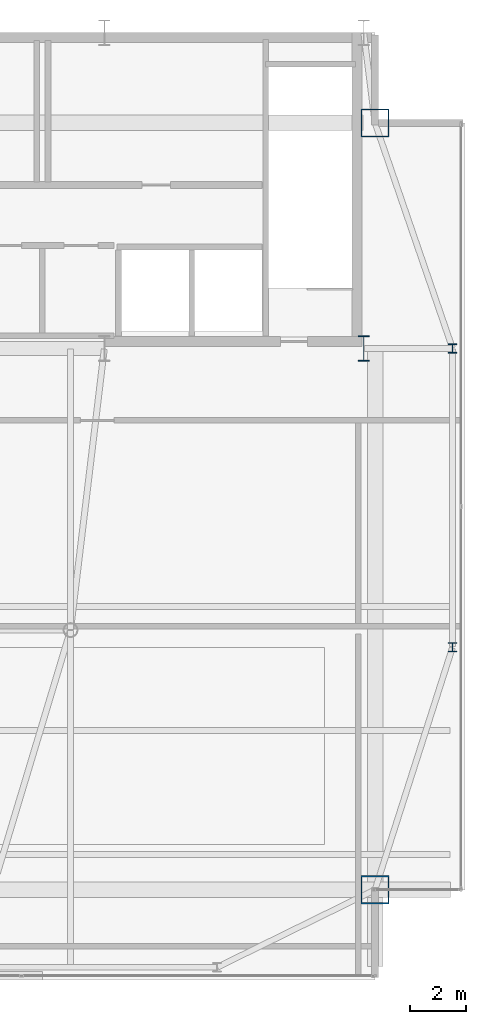
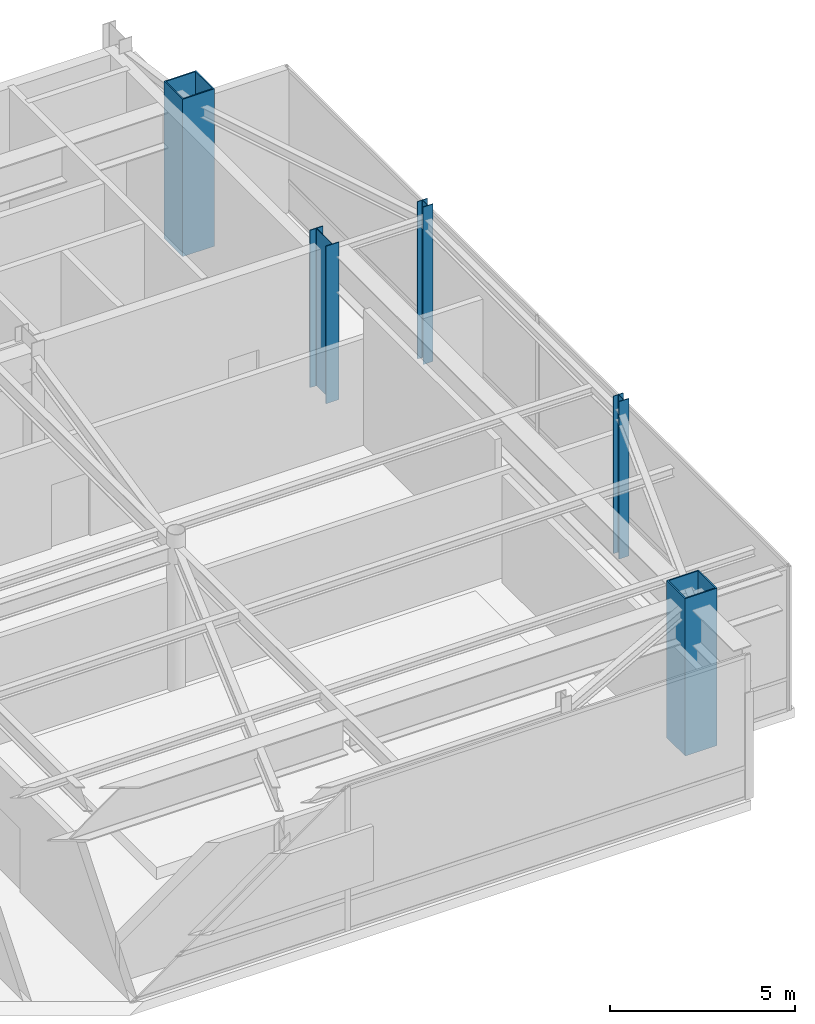
# One storey, part 2 of 20: 5 columns.
"""IFC4 building model written with IfcOpenShell, lengths in metres."""

from ifc_helpers import new_model, si_unit, direction, frame, origin, origin_2d, place, context, subcontext, project, spatial, hollow_rectangle, i_section, extrude, source, transform, mapped, material, material_profile, profile_set, type_object, type_shapes, element, save


model = new_model("IFC4")

# Units and contexts
model_context = context("Model", 3, precision=1e-05, world=origin(), true_north=direction((0.0, 1.0)))
body_context = subcontext(model_context, "Body", "Model", "MODEL_VIEW")
ifc_project = project(units=[si_unit("LENGTHUNIT", "METRE"), si_unit("AREAUNIT", "SQUARE_METRE"), si_unit("VOLUMEUNIT", "CUBIC_METRE"), si_unit("PLANEANGLEUNIT", "RADIAN"), si_unit("MASSUNIT", "GRAM", prefix="KILO")], contexts=[model_context])

# Site, building, storey
site_placement = place(None, origin())
site = spatial("IfcSite", under=ifc_project, at=site_placement, CompositionType="ELEMENT")
building_placement = place(site_placement, origin())
building = spatial("IfcBuilding", under=site, at=building_placement, Name="Varnel Quay Broadcast Tower", CompositionType="ELEMENT")
storey_placement = place(building_placement, frame((0.0, 0.0, 314.60009765625)))
storey = spatial("IfcBuildingStorey", under=building, at=storey_placement, Name="L78", CompositionType="ELEMENT", Elevation=314.60009765625)

# Columns
ifc_material_1 = material(Name="Structural Steel CSA G40.21 350WT", Category="steel")
ifc_material_profile_1 = material_profile(ifc_material_1, i_section(OverallWidth=0.39990234375, OverallDepth=0.89990234375, WebThickness=0.01611328125, FlangeThickness=0.028076171875, FilletRadius=0.01611328125, at=origin_2d()), Name="WWF900X309")
ifc_profile_set_1 = profile_set([ifc_material_profile_1], Name="Structural Steel CSA G40.21 350WT")
column_type_1 = type_object("IfcColumnType", Name="Col_WWF900X309", PredefinedType="COLUMN", material=ifc_profile_set_1)
shared_shape_1 = source(origin(), body_context, "Body", "SweptSolid", [
    extrude(i_section(OverallWidth=0.39990234375, OverallDepth=0.89990234375, WebThickness=0.01611328125, FlangeThickness=0.028076171875, FilletRadius=0.01611328125, at=origin_2d()), origin(), (0.0, 0.0, 1.0), 5.199951171875),
])
type_shapes(column_type_1, [shared_shape_1])
column_placement = place(storey_placement, frame((52.39990234375, 35.60009765625, 0.0), z_axis=(0.0, 0.0, 1.0), x_axis=(1.0, 0.0, 0.0)))
element("IfcColumn", 1, at=column_placement, inside=storey, type_object=column_type_1, Name="L78 Column CC-S5", PredefinedType="COLUMN", context=body_context, shape_type="MappedRepresentation", body=[
    mapped(shared_shape_1, transform((0.0, 0.0, 0.0), x_axis=(1.0, 0.0, 0.0), y_axis=(0.0, 1.0, 0.0), z_axis=(0.0, 0.0, 1.0), scale=1.0)),
])
ifc_material_profile_2 = material_profile(ifc_material_1, hollow_rectangle(XDim=1.0, YDim=1.0, WallThickness=0.0400390625, at=origin_2d()), Name="BOX1000X1000X40")
ifc_profile_set_2 = profile_set([ifc_material_profile_2], Name="Structural Steel CSA G40.21 350WT")
column_type_2 = type_object("IfcColumnType", Name="Col_BOX1000X1000X40", PredefinedType="COLUMN", material=ifc_profile_set_2)
shared_shape_2 = source(origin(), body_context, "Body", "SweptSolid", [
    extrude(hollow_rectangle(XDim=1.0, YDim=1.0, WallThickness=0.0400390625, at=origin_2d()), origin(), (0.0, 0.0, 1.0), 5.199951171875),
])
type_shapes(column_type_2, [shared_shape_2])
for number, where, z_axis, x_axis, name in (
    (2, (52.800048828125, 16.39990234375, 0.0), (0.0, 0.0, 1.0), (1.0, 0.0, 0.0), "L78 Column MC-SE"),
    (3, (52.800048828125, 43.60009765625, 0.0), (0.0, 0.0, 1.0), (1.0, 0.0, 0.0), "L78 Column MC-NE"),
):
    element("IfcColumn", number, at=place(storey_placement, frame(where, z_axis=z_axis, x_axis=x_axis)), inside=storey, type_object=column_type_2, Name=name, PredefinedType="COLUMN", context=body_context, shape_type="MappedRepresentation", body=[
        mapped(shared_shape_2, transform((0.0, 0.0, 0.0), x_axis=(1.0, 0.0, 0.0), y_axis=(0.0, 1.0, 0.0), z_axis=(0.0, 0.0, 1.0), scale=1.0)),
    ])
ifc_material_2 = material(Name="Structural Steel CSA G40.21 350W", Category="steel")
ifc_material_profile_3 = material_profile(ifc_material_2, i_section(OverallWidth=0.30908203125, OverallDepth=0.322998046875, WebThickness=0.013916015625, FlangeThickness=0.02294921875, FilletRadius=0.014892578125, at=origin_2d()), Name="W310X143")
ifc_profile_set_3 = profile_set([ifc_material_profile_3], Name="Structural Steel CSA G40.21 350W")
column_type_3 = type_object("IfcColumnType", Name="Col_W310X143", PredefinedType="COLUMN", material=ifc_profile_set_3)
shared_shape_3 = source(origin(), body_context, "Body", "SweptSolid", [
    extrude(i_section(OverallWidth=0.30908203125, OverallDepth=0.322998046875, WebThickness=0.013916015625, FlangeThickness=0.02294921875, FilletRadius=0.014892578125, at=origin_2d()), origin(), (0.0, 0.0, 1.0), 5.199951171875),
])
type_shapes(column_type_3, [shared_shape_3])
for number, where, z_axis, x_axis, name in (
    (4, (55.550048828125, 25.0, 0.0), (0.0, 0.0, 1.0), (1.0, 0.0, 0.0), "L78 Column TC-E1"),
    (5, (55.550048828125, 35.60009765625, 0.0), (0.0, 0.0, 1.0), (1.0, 0.0, 0.0), "L78 Column TC-E2"),
):
    element("IfcColumn", number, at=place(storey_placement, frame(where, z_axis=z_axis, x_axis=x_axis)), inside=storey, type_object=column_type_3, Name=name, PredefinedType="COLUMN", context=body_context, shape_type="MappedRepresentation", body=[
        mapped(shared_shape_3, transform((0.0, 0.0, 0.0), x_axis=(1.0, 0.0, 0.0), y_axis=(0.0, 1.0, 0.0), z_axis=(0.0, 0.0, 1.0), scale=1.0)),
    ])

save(model, "model.ifc")
